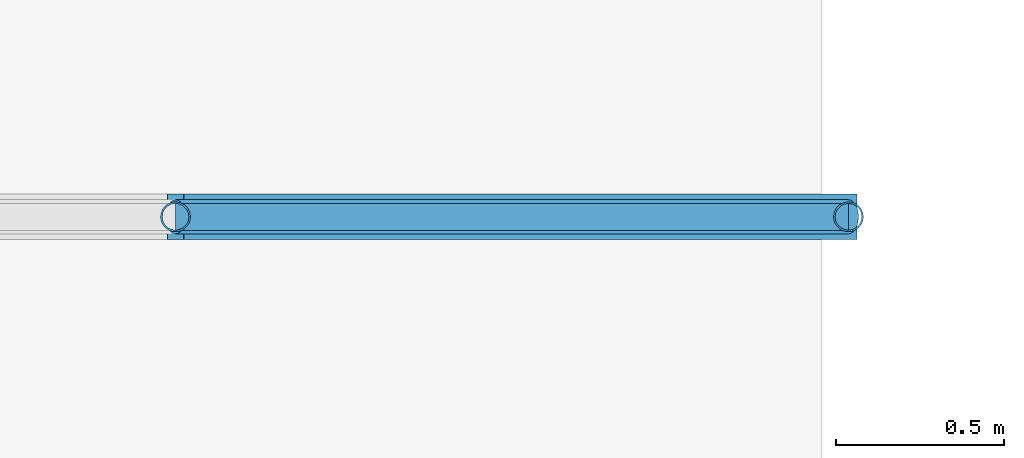
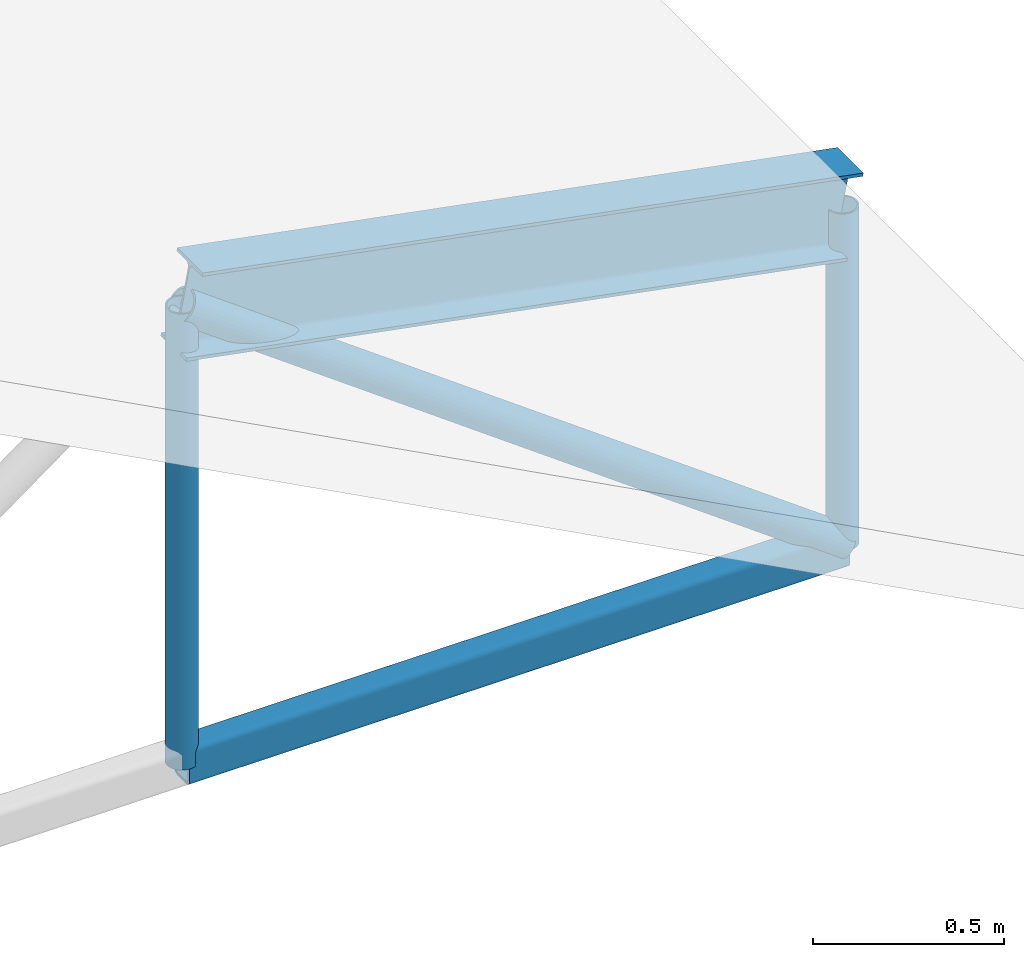
# One storey, part 8 of 54: 5 members.
"""IFC4 building model written with IfcOpenShell, lengths in metres."""

from ifc_helpers import new_model, si_unit, derived_unit, direction, frame, origin, origin_2d, place, context, subcontext, project, spatial, hollow_rectangle, hollow_circle, i_section, extrude, material, material_profile, profile_set, type_object, element, save


model = new_model("IFC4")

# Units and contexts
model_context = context("Model", 3, precision=1e-05, world=origin(), true_north=direction((0.0, 1.0)))
body_context = subcontext(model_context, "Body", "Model", "MODEL_VIEW")
ifc_project = project(units=[si_unit("LENGTHUNIT", "METRE"), si_unit("AREAUNIT", "SQUARE_METRE"), si_unit("VOLUMEUNIT", "CUBIC_METRE"), si_unit("PLANEANGLEUNIT", "RADIAN"), si_unit("MASSUNIT", "GRAM", prefix="KILO"), derived_unit("THERMALTRANSMITTANCEUNIT", [(si_unit("POWERUNIT", "WATT"), 1), (si_unit("LENGTHUNIT", "METRE"), -2), (si_unit("THERMODYNAMICTEMPERATUREUNIT", "KELVIN"), -1)])], contexts=[model_context])

# Site, building, storey
site_placement = place(None, origin())
site = spatial("IfcSite", under=ifc_project, at=site_placement, CompositionType="ELEMENT")
building_placement = place(site_placement, origin())
building = spatial("IfcBuilding", under=site, at=building_placement, Name="Keldorne Ridge Multi-Sports Centre", CompositionType="ELEMENT")
storey_placement = place(building_placement, frame((0.0, 0.0, 22.199951171875)))
storey = spatial("IfcBuildingStorey", under=building, at=storey_placement, Name="ROOF", CompositionType="ELEMENT", Elevation=22.199951171875)

# Members
ifc_material = material(Name="Steel S355", Category="steel")
ifc_material_profile_1 = material_profile(ifc_material, i_section(OverallWidth=0.135009765625, OverallDepth=0.27001953125, WebThickness=0.006591796875, FlangeThickness=0.01025390625, FilletRadius=0.014892578125, at=origin_2d()), Name="IPE 270")
ifc_profile_set_1 = profile_set([ifc_material_profile_1], Name="Steel S355")
member_type_1 = type_object("IfcMemberType", Name="MEM-RF-02", PredefinedType="RAFTER", material=ifc_profile_set_1)
member_1_placement = place(storey_placement, frame((94.0, 14.0, -12.260009765625), z_axis=(0.982435006317, 0.0, -0.186605086649), x_axis=(0.0, 1.0, 0.0)))
element("IfcMember", 1, at=member_1_placement, inside=storey, type_object=member_type_1, Name="Public Passage bowstring arch top chord 02.6", PredefinedType="RAFTER", context=body_context, shape_type="SweptSolid", body=[
    extrude(i_section(OverallWidth=0.135009765625, OverallDepth=0.27001953125, WebThickness=0.006591796875, FlangeThickness=0.01025390625, FilletRadius=0.014892578125, at=origin_2d()), origin(), (0.0, 0.0, 1.0), 2.03564453125),
])
ifc_material_profile_2 = material_profile(ifc_material, hollow_rectangle(XDim=0.080078125, YDim=0.1201171875, WallThickness=0.008056640625, InnerFilletRadius=0.008056640625, OuterFilletRadius=0.01611328125, at=origin_2d()), Name="RHS 120x80x8")
ifc_profile_set_2 = profile_set([ifc_material_profile_2], Name="Steel S355")
member_type_2 = type_object("IfcMemberType", Name="MEM-TC-07", PredefinedType="CHORD", material=ifc_profile_set_2)
member_2_placement = place(storey_placement, frame((94.0, 14.0, -13.719970703125), z_axis=(1.0, 0.0, 0.0), x_axis=(0.0, 1.0, 0.0)))
element("IfcMember", 2, at=member_2_placement, inside=storey, type_object=member_type_2, Name="Public Passage bowstring tie chord 02.6", PredefinedType="CHORD", context=body_context, shape_type="SweptSolid", body=[
    extrude(hollow_rectangle(XDim=0.080078125, YDim=0.1201171875, WallThickness=0.008056640625, InnerFilletRadius=0.008056640625, OuterFilletRadius=0.01611328125, at=origin_2d()), origin(), (0.0, 0.0, 1.0), 2.0),
])
ifc_material_profile_3 = material_profile(ifc_material, hollow_circle(Radius=0.05078125, WallThickness=0.00634765625, at=origin_2d()), Name="CHS 101.6x6.3")
ifc_profile_set_3 = profile_set([ifc_material_profile_3], Name="Steel S355")
member_type_3 = type_object("IfcMemberType", Name="MEM-TD-05", PredefinedType="BRACE", material=ifc_profile_set_3)
member_3_placement = place(storey_placement, frame((94.0, 14.0, -12.260009765625), z_axis=(0.8076945033, 0.0, -0.589601212125), x_axis=(0.0, 1.0, 0.0)))
element("IfcMember", 3, at=member_3_placement, inside=storey, type_object=member_type_3, Name="Public Passage bowstring web diagonal 02.6", PredefinedType="BRACE", context=body_context, shape_type="SweptSolid", body=[
    extrude(hollow_circle(Radius=0.05078125, WallThickness=0.00634765625, at=origin_2d()), origin(), (0.0, 0.0, 1.0), 2.47607421875),
])
ifc_material_profile_4 = material_profile(ifc_material, hollow_circle(Radius=0.04443359375, WallThickness=0.0048828125, at=origin_2d()), Name="CHS 88.9x5")
ifc_profile_set_4 = profile_set([ifc_material_profile_4], Name="Steel S355")
member_type_4 = type_object("IfcMemberType", Name="MEM-TV-07", PredefinedType="STRUT", material=ifc_profile_set_4)
member_4_placement = place(storey_placement, frame((94.0, 14.0, -13.719970703125), z_axis=(0.0, 0.0, 1.0), x_axis=(1.0, 0.0, 0.0)))
element("IfcMember", 4, at=member_4_placement, inside=storey, type_object=member_type_4, Name="Public Passage bowstring hanger 02.6", PredefinedType="STRUT", context=body_context, shape_type="SweptSolid", body=[
    extrude(hollow_circle(Radius=0.04443359375, WallThickness=0.0048828125, at=origin_2d()), origin(), (0.0, 0.0, 1.0), 1.4599609375),
])
member_5_placement = place(storey_placement, frame((96.0, 14.0, -13.719970703125), z_axis=(0.0, 0.0, 1.0), x_axis=(1.0, 0.0, 0.0)))
element("IfcMember", 5, at=member_5_placement, inside=storey, type_object=member_type_4, Name="Public Passage bowstring hanger 02.7", PredefinedType="STRUT", context=body_context, shape_type="SweptSolid", body=[
    extrude(hollow_circle(Radius=0.04443359375, WallThickness=0.0048828125, at=origin_2d()), origin(), (0.0, 0.0, 1.0), 1.080078125),
])

save(model, "model.ifc")
